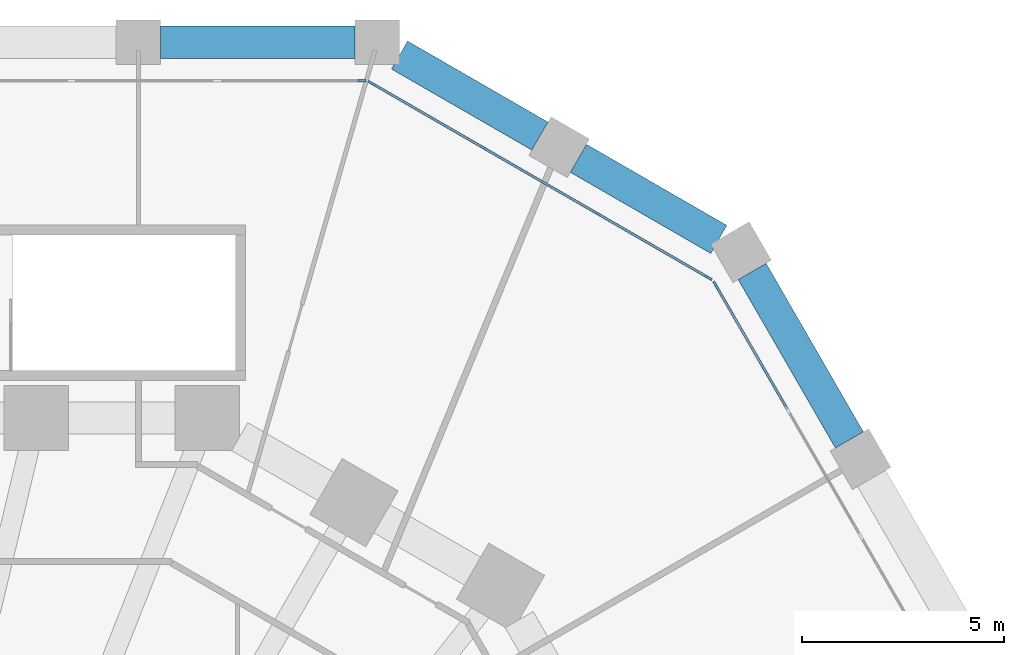
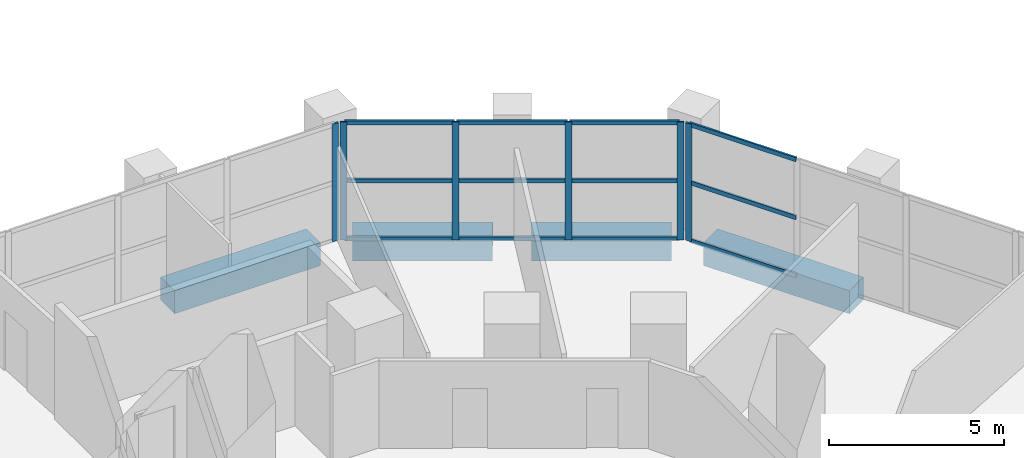
# One storey, part 15 of 38: 18 members, 4 beams, 3 elements without a shape of their own.
"""IFC4 building model written with IfcOpenShell, lengths in metres."""

from ifc_helpers import new_model, si_unit, direction, frame, origin, origin_2d, place, context, subcontext, project, spatial, rectangle, extrude, material, material_profile, profile_set, type_object, element, aggregate, save


model = new_model("IFC4")

# Units and contexts
model_context = context("Model", 3, precision=1e-05, world=origin(), true_north=direction((0.0, 1.0)))
body_context = subcontext(model_context, "Body", "Model", "MODEL_VIEW")
ifc_project = project(units=[si_unit("LENGTHUNIT", "METRE"), si_unit("AREAUNIT", "SQUARE_METRE"), si_unit("VOLUMEUNIT", "CUBIC_METRE"), si_unit("PLANEANGLEUNIT", "RADIAN"), si_unit("MASSUNIT", "GRAM", prefix="KILO")], contexts=[model_context])

# Site, building, storey
site_placement = place(None, origin())
site = spatial("IfcSite", under=ifc_project, at=site_placement, CompositionType="ELEMENT")
building_placement = place(site_placement, origin())
building = spatial("IfcBuilding", under=site, at=building_placement, Name="Frailejon Research Tower", CompositionType="ELEMENT")
storey_placement = place(building_placement, frame((0.0, 0.0, 10.199951171875)))
storey = spatial("IfcBuildingStorey", under=building, at=storey_placement, Name="L02", CompositionType="ELEMENT", Elevation=10.199951171875)

# Beams
ifc_material_1 = material(Name="Concrete C60/75", Category="concrete")
ifc_material_profile_1 = material_profile(ifc_material_1, rectangle(XDim=0.800048828125, YDim=0.800048828125, at=origin_2d()), Name="Base ring beam")
ifc_profile_set_1 = profile_set([ifc_material_profile_1], Name="Concrete C60/75")
beam_type = type_object("IfcBeamType", Name="Base ring beam", PredefinedType="BEAM", material=ifc_profile_set_1)
beam_1_placement = place(storey_placement, frame((26.466552734375, 26.15869140625, -0.75), z_axis=(-0.500028306193, 0.866009060579, 0.0), x_axis=(-0.866009060579, -0.500028306193, 0.0)))
element("IfcBeam", 1, at=beam_1_placement, inside=storey, type_object=beam_type, Name="Base ring beam", PredefinedType="BEAM", context=body_context, shape_type="SweptSolid", body=[
    extrude(rectangle(XDim=0.800048828125, YDim=0.800048828125, at=origin_2d()), origin(), (0.0, 0.0, 1.0), 4.813720703125),
])
for number, where, z_axis, x_axis, name in (
    (2, (23.234619140625, 31.121337890625, -0.75), (-0.866013269967, 0.500021015799, 0.0), (-0.500021015799, -0.866013269967, 0.0), "Base ring beam"),
    (3, (18.808349609375, 33.677001953125, -0.75), (-0.866013269967, 0.500021015799, 0.0), (-0.500021015799, -0.866013269967, 0.0), "Base ring beam"),
):
    element("IfcBeam", number, at=place(storey_placement, frame(where, z_axis=z_axis, x_axis=x_axis)), inside=storey, type_object=beam_type, Name=name, PredefinedType="BEAM", context=body_context, shape_type="SweptSolid", body=[
        extrude(rectangle(XDim=0.800048828125, YDim=0.800048828125, at=origin_2d()), origin(), (0.0, 0.0, 1.0), 4.010986328125),
    ])
beam_2_placement = place(storey_placement, frame((14.234619140625, 36.0, -0.75), z_axis=(-1.0, 0.0, 0.0), x_axis=(0.0, -1.0, 0.0)))
element("IfcBeam", 4, at=beam_2_placement, inside=storey, type_object=beam_type, Name="Base ring beam", PredefinedType="BEAM", context=body_context, shape_type="SweptSolid", body=[
    extrude(rectangle(XDim=0.800048828125, YDim=0.800048828125, at=origin_2d()), origin(), (0.0, 0.0, 1.0), 4.813720703125),
])

# Curtain wall, member
ifc_material_2 = material(Name="Aluminium curtain wall", Category="aluminium")
curtain_wall_type = type_object("IfcCurtainWallType", Name="Podium stick curtain wall system", PredefinedType="NOTDEFINED", material=ifc_material_2)
curtain_wall_1_placement = place(storey_placement, origin())
curtain_wall_1 = element("IfcCurtainWall", 5, at=curtain_wall_1_placement, inside=storey, type_object=curtain_wall_type, Name="Curtain wall L02", PredefinedType="NOTDEFINED")
ifc_material_3 = material(Name="Aluminium extrusion", Category="aluminium")
ifc_material_profile_2 = material_profile(ifc_material_3, rectangle(XDim=0.06005859375, YDim=0.199951171875, at=origin_2d()), Name="Podium stick curtain wall mullion 60x200")
ifc_profile_set_2 = profile_set([ifc_material_profile_2], Name="Aluminium extrusion")
member_type_1 = type_object("IfcMemberType", Name="Podium stick curtain wall mullion 60x200", PredefinedType="MULLION", material=ifc_profile_set_2)
member_1_placement = place(storey_placement, frame((23.154296875, 29.995849609375, 0.0), z_axis=(0.0, 0.0, 1.0), x_axis=(-0.86602632934, -0.499998396888, 0.0)))
member_1 = element("IfcMember", 6, at=member_1_placement, type_object=member_type_1, Name="CW2-034 mullion 9", PredefinedType="MULLION", context=body_context, shape_type="SweptSolid", body=[
    extrude(rectangle(XDim=0.06005859375, YDim=0.199951171875, at=origin_2d()), origin(), (0.0, 0.0, 1.0), 4.10009765625),
])

# Curtain wall, members
curtain_wall_2_placement = place(storey_placement, origin())
curtain_wall_2 = element("IfcCurtainWall", 7, at=curtain_wall_2_placement, inside=storey, type_object=curtain_wall_type, Name="Curtain wall L02", PredefinedType="NOTDEFINED")
member_2_placement = place(storey_placement, frame((22.9765625, 30.17333984375, 0.0), z_axis=(0.0, 0.0, 1.0), x_axis=(-0.499999874334, -0.866025476338, 0.0)))
member_2 = element("IfcMember", 8, at=member_2_placement, type_object=member_type_1, Name="CW2-035 mullion 1", PredefinedType="MULLION", context=body_context, shape_type="SweptSolid", body=[
    extrude(rectangle(XDim=0.06005859375, YDim=0.199951171875, at=origin_2d()), origin(), (0.0, 0.0, 1.0), 4.10009765625),
])
member_3_placement = place(storey_placement, frame((20.207275390625, 31.772216796875, 0.0), z_axis=(0.0, 0.0, 1.0), x_axis=(-0.499999874334, -0.866025476338, 0.0)))
member_3 = element("IfcMember", 9, at=member_3_placement, type_object=member_type_1, Name="CW2-035 mullion 2", PredefinedType="MULLION", context=body_context, shape_type="SweptSolid", body=[
    extrude(rectangle(XDim=0.06005859375, YDim=0.199951171875, at=origin_2d()), origin(), (0.0, 0.0, 1.0), 4.10009765625),
])
member_4_placement = place(storey_placement, frame((17.412109375, 33.38623046875, 0.0), z_axis=(0.0, 0.0, 1.0), x_axis=(-0.499999874334, -0.866025476338, 0.0)))
member_4 = element("IfcMember", 10, at=member_4_placement, type_object=member_type_1, Name="CW2-035 mullion 3", PredefinedType="MULLION", context=body_context, shape_type="SweptSolid", body=[
    extrude(rectangle(XDim=0.06005859375, YDim=0.199951171875, at=origin_2d()), origin(), (0.0, 0.0, 1.0), 4.10009765625),
])
member_5_placement = place(storey_placement, frame((14.642578125, 34.985107421875, 0.0), z_axis=(0.0, 0.0, 1.0), x_axis=(-0.499999874334, -0.866025476338, 0.0)))
member_5 = element("IfcMember", 11, at=member_5_placement, type_object=member_type_1, Name="CW2-035 mullion 4", PredefinedType="MULLION", context=body_context, shape_type="SweptSolid", body=[
    extrude(rectangle(XDim=0.06005859375, YDim=0.199951171875, at=origin_2d()), origin(), (0.0, 0.0, 1.0), 4.10009765625),
])

# Curtain wall, member
curtain_wall_3_placement = place(storey_placement, origin())
curtain_wall_3 = element("IfcCurtainWall", 12, at=curtain_wall_3_placement, inside=storey, type_object=curtain_wall_type, Name="Curtain wall L02", PredefinedType="NOTDEFINED")
member_6_placement = place(storey_placement, frame((14.400146484375, 35.050048828125, 0.0), z_axis=(0.0, 0.0, 1.0), x_axis=(0.0, -1.0, 0.0)))
member_6 = element("IfcMember", 13, at=member_6_placement, type_object=member_type_1, Name="CW2-036 mullion 1", PredefinedType="MULLION", context=body_context, shape_type="SweptSolid", body=[
    extrude(rectangle(XDim=0.06005859375, YDim=0.199951171875, at=origin_2d()), origin(), (0.0, 0.0, 1.0), 4.10009765625),
])
aggregate(curtain_wall_3, [member_6])

# Member
ifc_material_4 = material(Name="Aluminium extrusion", Category="aluminium")
ifc_material_profile_3 = material_profile(ifc_material_4, rectangle(XDim=0.06005859375, YDim=0.14990234375, at=origin_2d()), Name="Podium stick curtain wall transom 60x150")
ifc_profile_set_3 = profile_set([ifc_material_profile_3], Name="Aluminium extrusion")
member_type_2 = type_object("IfcMemberType", Name="Podium stick curtain wall transom 60x150", PredefinedType="USERDEFINED", material=ifc_profile_set_3)
member_7_placement = place(storey_placement, frame((24.927978515625, 26.923583984375, 0.030029296875), z_axis=(-0.500020858477, 0.866013360802, 0.0), x_axis=(-0.866013360802, -0.500020858477, 0.0)))
member_7 = element("IfcMember", 14, at=member_7_placement, type_object=member_type_2, Name="CW2-034 transom 8.1", ObjectType="TRANSOM", PredefinedType="USERDEFINED", context=body_context, shape_type="SweptSolid", body=[
    extrude(rectangle(XDim=0.06005859375, YDim=0.14990234375, at=origin_2d()), origin(), (0.0, 0.0, 1.0), 3.517333984375),
])

member_8_placement = place(storey_placement, frame((24.927978515625, 26.923583984375, 2.050048828125), z_axis=(-0.500020858477, 0.866013360802, 0.0), x_axis=(-0.866013360802, -0.500020858477, 0.0)))
member_8 = element("IfcMember", 15, at=member_8_placement, type_object=member_type_2, Name="CW2-034 transom 8.2", ObjectType="TRANSOM", PredefinedType="USERDEFINED", context=body_context, shape_type="SweptSolid", body=[
    extrude(rectangle(XDim=0.06005859375, YDim=0.14990234375, at=origin_2d()), origin(), (0.0, 0.0, 1.0), 3.517333984375),
])

member_9_placement = place(storey_placement, frame((24.927978515625, 26.923583984375, 4.070068359375), z_axis=(-0.500020858477, 0.866013360802, 0.0), x_axis=(-0.866013360802, -0.500020858477, 0.0)))
member_9 = element("IfcMember", 16, at=member_9_placement, type_object=member_type_2, Name="CW2-034 transom 8.3", ObjectType="TRANSOM", PredefinedType="USERDEFINED", context=body_context, shape_type="SweptSolid", body=[
    extrude(rectangle(XDim=0.06005859375, YDim=0.14990234375, at=origin_2d()), origin(), (0.0, 0.0, 1.0), 3.517333984375),
])

aggregate(curtain_wall_1, [member_1, member_7, member_8, member_9])

member_10_placement = place(storey_placement, frame((22.95068359375, 30.1884765625, 0.030029296875), z_axis=(-0.866022320763, 0.500005339912, 0.0), x_axis=(-0.500005339912, -0.866022320763, 0.0)))
member_10 = element("IfcMember", 17, at=member_10_placement, type_object=member_type_2, Name="CW2-035 transom 1.1", ObjectType="TRANSOM", PredefinedType="USERDEFINED", context=body_context, shape_type="SweptSolid", body=[
    extrude(rectangle(XDim=0.06005859375, YDim=0.14990234375, at=origin_2d()), origin(), (0.0, 0.0, 1.0), 3.1376953125),
])

member_11_placement = place(storey_placement, frame((22.95068359375, 30.1884765625, 2.050048828125), z_axis=(-0.866022320763, 0.500005339912, 0.0), x_axis=(-0.500005339912, -0.866022320763, 0.0)))
member_11 = element("IfcMember", 18, at=member_11_placement, type_object=member_type_2, Name="CW2-035 transom 1.2", ObjectType="TRANSOM", PredefinedType="USERDEFINED", context=body_context, shape_type="SweptSolid", body=[
    extrude(rectangle(XDim=0.06005859375, YDim=0.14990234375, at=origin_2d()), origin(), (0.0, 0.0, 1.0), 3.1376953125),
])

member_12_placement = place(storey_placement, frame((22.95068359375, 30.1884765625, 4.070068359375), z_axis=(-0.866022320763, 0.500005339912, 0.0), x_axis=(-0.500005339912, -0.866022320763, 0.0)))
member_12 = element("IfcMember", 19, at=member_12_placement, type_object=member_type_2, Name="CW2-035 transom 1.3", ObjectType="TRANSOM", PredefinedType="USERDEFINED", context=body_context, shape_type="SweptSolid", body=[
    extrude(rectangle(XDim=0.06005859375, YDim=0.14990234375, at=origin_2d()), origin(), (0.0, 0.0, 1.0), 3.1376953125),
])

member_13_placement = place(storey_placement, frame((20.181396484375, 31.787353515625, 0.030029296875), z_axis=(-0.866048262394, 0.499960405637, 0.0), x_axis=(-0.499960405637, -0.866048262394, 0.0)))
member_13 = element("IfcMember", 20, at=member_13_placement, type_object=member_type_2, Name="CW2-035 transom 2.1", ObjectType="TRANSOM", PredefinedType="USERDEFINED", context=body_context, shape_type="SweptSolid", body=[
    extrude(rectangle(XDim=0.06005859375, YDim=0.14990234375, at=origin_2d()), origin(), (0.0, 0.0, 1.0), 3.167724609375),
])

member_14_placement = place(storey_placement, frame((20.181396484375, 31.787353515625, 2.050048828125), z_axis=(-0.866048262394, 0.499960405637, 0.0), x_axis=(-0.499960405637, -0.866048262394, 0.0)))
member_14 = element("IfcMember", 21, at=member_14_placement, type_object=member_type_2, Name="CW2-035 transom 2.2", ObjectType="TRANSOM", PredefinedType="USERDEFINED", context=body_context, shape_type="SweptSolid", body=[
    extrude(rectangle(XDim=0.06005859375, YDim=0.14990234375, at=origin_2d()), origin(), (0.0, 0.0, 1.0), 3.167724609375),
])

member_15_placement = place(storey_placement, frame((20.181396484375, 31.787353515625, 4.070068359375), z_axis=(-0.866048262394, 0.499960405637, 0.0), x_axis=(-0.499960405637, -0.866048262394, 0.0)))
member_15 = element("IfcMember", 22, at=member_15_placement, type_object=member_type_2, Name="CW2-035 transom 2.3", ObjectType="TRANSOM", PredefinedType="USERDEFINED", context=body_context, shape_type="SweptSolid", body=[
    extrude(rectangle(XDim=0.06005859375, YDim=0.14990234375, at=origin_2d()), origin(), (0.0, 0.0, 1.0), 3.167724609375),
])

member_16_placement = place(storey_placement, frame((17.385986328125, 33.401123046875, 0.030029296875), z_axis=(-0.866022320763, 0.500005339912, 0.0), x_axis=(-0.500005339912, -0.866022320763, 0.0)))
member_16 = element("IfcMember", 23, at=member_16_placement, type_object=member_type_2, Name="CW2-035 transom 3.1", ObjectType="TRANSOM", PredefinedType="USERDEFINED", context=body_context, shape_type="SweptSolid", body=[
    extrude(rectangle(XDim=0.06005859375, YDim=0.14990234375, at=origin_2d()), origin(), (0.0, 0.0, 1.0), 3.1376953125),
])

member_17_placement = place(storey_placement, frame((17.385986328125, 33.401123046875, 2.050048828125), z_axis=(-0.866022320763, 0.500005339912, 0.0), x_axis=(-0.500005339912, -0.866022320763, 0.0)))
member_17 = element("IfcMember", 24, at=member_17_placement, type_object=member_type_2, Name="CW2-035 transom 3.2", ObjectType="TRANSOM", PredefinedType="USERDEFINED", context=body_context, shape_type="SweptSolid", body=[
    extrude(rectangle(XDim=0.06005859375, YDim=0.14990234375, at=origin_2d()), origin(), (0.0, 0.0, 1.0), 3.1376953125),
])

member_18_placement = place(storey_placement, frame((17.385986328125, 33.401123046875, 4.070068359375), z_axis=(-0.866022320763, 0.500005339912, 0.0), x_axis=(-0.500005339912, -0.866022320763, 0.0)))
member_18 = element("IfcMember", 25, at=member_18_placement, type_object=member_type_2, Name="CW2-035 transom 3.3", ObjectType="TRANSOM", PredefinedType="USERDEFINED", context=body_context, shape_type="SweptSolid", body=[
    extrude(rectangle(XDim=0.06005859375, YDim=0.14990234375, at=origin_2d()), origin(), (0.0, 0.0, 1.0), 3.1376953125),
])

aggregate(curtain_wall_2, [member_2, member_3, member_4, member_5, member_10, member_11, member_12, member_13, member_14, member_15, member_16, member_17, member_18])

save(model, "model.ifc")
